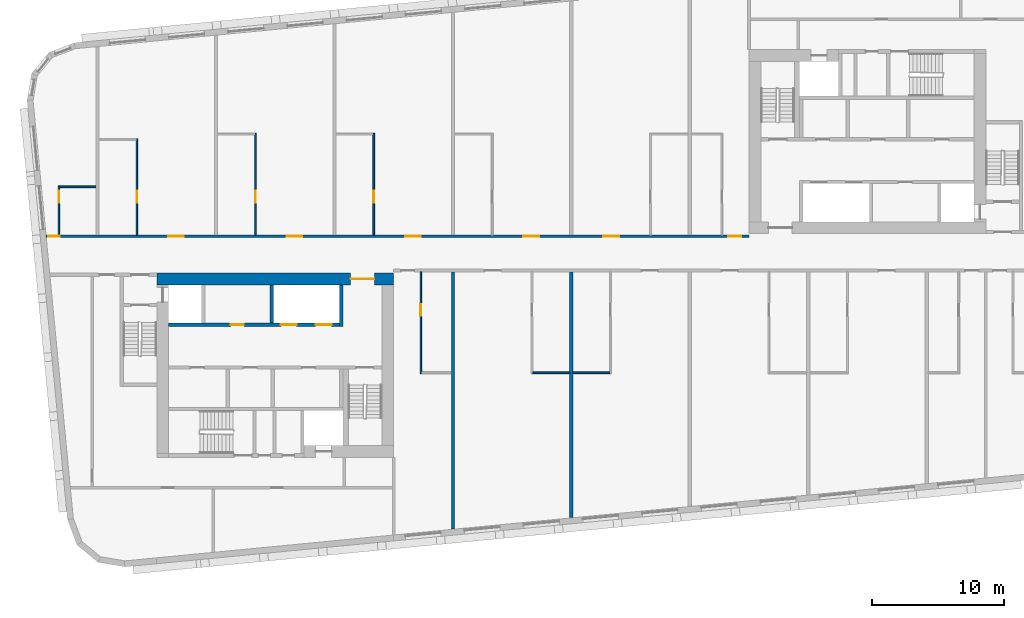
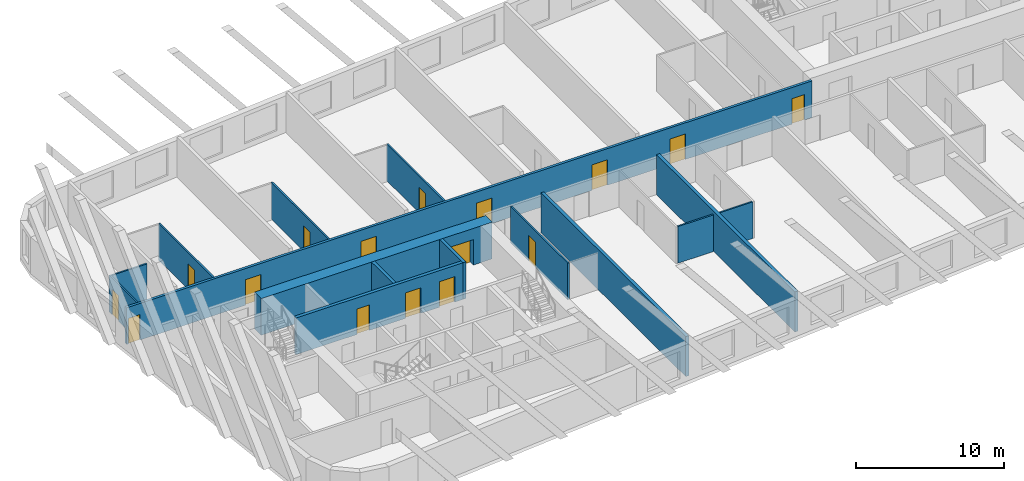
# One storey, part 3 of 12: 16 doors, 15 walls, 16 openings.
"""IFC4 building model written with IfcOpenShell, lengths in metres."""

from ifc_helpers import new_model, si_unit, direction, frame, frame_2d, origin, place, context, subcontext, project, spatial, rectangle, extrude, material, layer, layer_set, type_object, element, fill, save


model = new_model("IFC4")

# Units and contexts
model_context = context("Model", 3, precision=1e-05, world=origin(), true_north=direction((0.0, 1.0)))
body_context = subcontext(model_context, "Body", "Model", "MODEL_VIEW")
ifc_project = project(units=[si_unit("LENGTHUNIT", "METRE"), si_unit("AREAUNIT", "SQUARE_METRE"), si_unit("VOLUMEUNIT", "CUBIC_METRE"), si_unit("PLANEANGLEUNIT", "RADIAN"), si_unit("MASSUNIT", "GRAM", prefix="KILO")], contexts=[model_context])

# Site, building, storey
site_placement = place(None, origin())
site = spatial("IfcSite", under=ifc_project, at=site_placement, CompositionType="ELEMENT")
building_placement = place(site_placement, origin())
building = spatial("IfcBuilding", under=site, at=building_placement, Name="Kajstack Hotel Tower", CompositionType="ELEMENT")
storey_placement = place(building_placement, frame((0.0, 0.0, 268.5)))
storey = spatial("IfcBuildingStorey", under=building, at=storey_placement, Name="L66", CompositionType="ELEMENT", Elevation=268.5)

# Wall, opening, door
ifc_material_1 = material(Name="Concrete C60/75", Category="concrete")
ifc_layer_1 = layer(ifc_material_1, 0.89990234375)
ifc_layer_set_1 = layer_set([ifc_layer_1], Name="Core wall 900")
wall_type_1 = type_object("IfcWallType", Name="Core wall 900", PredefinedType="SHEAR", material=ifc_layer_set_1)
wall_1_placement = place(storey_placement, frame((-31.5, -1.949951171875, 0.0), z_axis=(0.0, 0.0, 1.0), x_axis=(1.0, 0.0, 0.0)))
wall_1 = element("IfcWall", 1, at=wall_1_placement, inside=storey, type_object=wall_type_1, Name="Core wall W RN", PredefinedType="SHEAR", context=body_context, shape_type="SweptSolid", body=[
    extrude(rectangle(XDim=18.0, YDim=0.89990234375, at=frame_2d((9.0, 0.0))), origin(), (0.0, 0.0, 1.0), 3.02001953125),
])
opening_1_placement = place(wall_1_placement, frame((14.72509765625, 0.0, 0.0)))
opening_1 = element("IfcOpeningElement", 2, at=opening_1_placement, cuts=wall_1, Name="Opening 66W05", PredefinedType="OPENING", context=body_context, shape_type="SweptSolid", body=[
    extrude(rectangle(XDim=1.800048828125, YDim=2.10009765625, at=frame_2d((0.89990234375, 1.050048828125))), frame((0.0, 0.4599609375, 0.0), z_axis=(0.0, -1.0, 0.0), x_axis=(1.0, 0.0, 0.0)), (0.0, 0.0, 1.0), 0.919921875),
])
ifc_material_2 = material(Name="Glazed steel frame, fire-rated glass", Category="steel")
door_type_1 = type_object("IfcDoorType", Name="Lobby double door 1800", OperationType="DOUBLE_DOOR_DOUBLE_SWING", PredefinedType="DOOR", material=ifc_material_2)
door_1_placement = place(opening_1_placement, origin())
door_1 = element("IfcDoor", 3, at=door_1_placement, inside=storey, type_object=door_type_1, Name="Door 66W05", OperationType="DOUBLE_DOOR_DOUBLE_SWING", OverallHeight=2.10009765625, OverallWidth=1.800048828125, PredefinedType="DOOR", context=body_context, shape_type="SweptSolid", body=[
    extrude(rectangle(XDim=1.800048828125, YDim=2.10009765625, at=frame_2d((0.89990234375, 1.050048828125))), frame((0.0, 0.02490234375, 0.0), z_axis=(0.0, -1.0, 0.0), x_axis=(1.0, 0.0, 0.0)), (0.0, 0.0, 1.0), 0.050048828125),
])
fill(opening_1, door_1)

# Wall, openings, doors
ifc_material_3 = material(Name="Gypsum board on steel studs, mineral wool", Category="steel")
ifc_layer_2 = layer(ifc_material_3, 0.199951171875)
ifc_layer_set_2 = layer_set([ifc_layer_2], Name="Corridor wall 200")
wall_type_2 = type_object("IfcWallType", Name="Corridor wall 200", PredefinedType="PARTITIONING", material=ifc_layer_set_2)
wall_2_placement = place(storey_placement, frame((-39.908935546875, 1.300048828125, 0.0), z_axis=(0.0, 0.0, 1.0), x_axis=(1.0, 0.0, 0.0)))
wall_2 = element("IfcWall", 4, at=wall_2_placement, inside=storey, type_object=wall_type_2, Name="G-wall-L66-003", PredefinedType="PARTITIONING", context=body_context, shape_type="SweptSolid", body=[
    extrude(rectangle(XDim=53.408935546875, YDim=0.199951171875, at=frame_2d((26.70458984375, 0.0))), origin(), (0.0, 0.0, 1.0), 3.02001953125),
])
opening_2_placement = place(wall_2_placement, frame((0.14990234375, 0.0, 0.0)))
opening_2 = element("IfcOpeningElement", 5, at=opening_2_placement, cuts=wall_2, Name="Opening 66001", PredefinedType="OPENING", context=body_context, shape_type="SweptSolid", body=[
    extrude(rectangle(XDim=0.89990234375, YDim=2.10009765625, at=frame_2d((0.449951171875, 1.050048828125))), frame((0.0, 0.10986328125, 0.0), z_axis=(0.0, -1.0, 0.0), x_axis=(1.0, 0.0, 0.0)), (0.0, 0.0, 1.0), 0.219970703125),
])
opening_3_placement = place(wall_2_placement, frame((9.27099609375, 0.0, 0.0)))
opening_3 = element("IfcOpeningElement", 6, at=opening_3_placement, cuts=wall_2, Name="Opening 66003", PredefinedType="OPENING", context=body_context, shape_type="SweptSolid", body=[
    extrude(rectangle(XDim=1.199951171875, YDim=2.10009765625, at=frame_2d((0.60009765625, 1.050048828125))), frame((0.0, 0.10986328125, 0.0), z_axis=(0.0, -1.0, 0.0), x_axis=(1.0, 0.0, 0.0)), (0.0, 0.0, 1.0), 0.219970703125),
])
opening_4_placement = place(wall_2_placement, frame((18.27099609375, 0.0, 0.0)))
opening_4 = element("IfcOpeningElement", 7, at=opening_4_placement, cuts=wall_2, Name="Opening 66005", PredefinedType="OPENING", context=body_context, shape_type="SweptSolid", body=[
    extrude(rectangle(XDim=1.199951171875, YDim=2.10009765625, at=frame_2d((0.60009765625, 1.050048828125))), frame((0.0, 0.10986328125, 0.0), z_axis=(0.0, -1.0, 0.0), x_axis=(1.0, 0.0, 0.0)), (0.0, 0.0, 1.0), 0.219970703125),
])
opening_5_placement = place(wall_2_placement, frame((27.27099609375, 0.0, 0.0)))
opening_5 = element("IfcOpeningElement", 8, at=opening_5_placement, cuts=wall_2, Name="Opening 66007", PredefinedType="OPENING", context=body_context, shape_type="SweptSolid", body=[
    extrude(rectangle(XDim=1.199951171875, YDim=2.10009765625, at=frame_2d((0.60009765625, 1.050048828125))), frame((0.0, 0.10986328125, 0.0), z_axis=(0.0, -1.0, 0.0), x_axis=(1.0, 0.0, 0.0)), (0.0, 0.0, 1.0), 0.219970703125),
])
opening_6_placement = place(wall_2_placement, frame((36.27099609375, 0.0, 0.0)))
opening_6 = element("IfcOpeningElement", 9, at=opening_6_placement, cuts=wall_2, Name="Opening 66009", PredefinedType="OPENING", context=body_context, shape_type="SweptSolid", body=[
    extrude(rectangle(XDim=1.199951171875, YDim=2.10009765625, at=frame_2d((0.60009765625, 1.050048828125))), frame((0.0, 0.10986328125, 0.0), z_axis=(0.0, -1.0, 0.0), x_axis=(1.0, 0.0, 0.0)), (0.0, 0.0, 1.0), 0.219970703125),
])
opening_7_placement = place(wall_2_placement, frame((42.345947265625, 0.0, 0.0)))
opening_7 = element("IfcOpeningElement", 10, at=opening_7_placement, cuts=wall_2, Name="Opening 66011", PredefinedType="OPENING", context=body_context, shape_type="SweptSolid", body=[
    extrude(rectangle(XDim=1.199951171875, YDim=2.10009765625, at=frame_2d((0.60009765625, 1.050048828125))), frame((0.0, 0.10986328125, 0.0), z_axis=(0.0, -1.0, 0.0), x_axis=(1.0, 0.0, 0.0)), (0.0, 0.0, 1.0), 0.219970703125),
])
opening_8_placement = place(wall_2_placement, frame((51.833984375, 0.0, 0.0)))
opening_8 = element("IfcOpeningElement", 11, at=opening_8_placement, cuts=wall_2, Name="Opening 66013", PredefinedType="OPENING", context=body_context, shape_type="SweptSolid", body=[
    extrude(rectangle(XDim=1.0, YDim=2.10009765625, at=frame_2d((0.5, 1.050048828125))), frame((0.0, 0.10986328125, 0.0), z_axis=(0.0, -1.0, 0.0), x_axis=(1.0, 0.0, 0.0)), (0.0, 0.0, 1.0), 0.219970703125),
])
ifc_material_4 = material(Name="Oak veneer on timber core, fire-rated leaf", Category="wood")
door_type_2 = type_object("IfcDoorType", Name="Flat entrance door 1000", OperationType="SINGLE_SWING_LEFT", PredefinedType="DOOR", material=ifc_material_4)
door_2_placement = place(opening_8_placement, origin())
door_2 = element("IfcDoor", 12, at=door_2_placement, inside=storey, type_object=door_type_2, Name="G-door-L66-13", OperationType="SINGLE_SWING_LEFT", OverallHeight=2.10009765625, OverallWidth=1.0, PredefinedType="DOOR", context=body_context, shape_type="SweptSolid", body=[
    extrude(rectangle(XDim=1.0, YDim=2.10009765625, at=frame_2d((0.5, 1.050048828125))), frame((0.0, 0.02490234375, 0.0), z_axis=(0.0, -1.0, 0.0), x_axis=(1.0, 0.0, 0.0)), (0.0, 0.0, 1.0), 0.050048828125),
])
fill(opening_8, door_2)
door_type_3 = type_object("IfcDoorType", Name="Flat entrance door 1200", OperationType="SINGLE_SWING_LEFT", PredefinedType="DOOR", material=ifc_material_4)
door_3_placement = place(opening_3_placement, origin())
door_3 = element("IfcDoor", 13, at=door_3_placement, inside=storey, type_object=door_type_3, Name="G-door-L66-03", OperationType="SINGLE_SWING_RIGHT", OverallHeight=2.10009765625, OverallWidth=1.199951171875, PredefinedType="DOOR", context=body_context, shape_type="SweptSolid", body=[
    extrude(rectangle(XDim=1.199951171875, YDim=2.10009765625, at=frame_2d((0.60009765625, 1.050048828125))), frame((0.0, 0.02490234375, 0.0), z_axis=(0.0, -1.0, 0.0), x_axis=(1.0, 0.0, 0.0)), (0.0, 0.0, 1.0), 0.050048828125),
])
fill(opening_3, door_3)
door_4_placement = place(opening_4_placement, origin())
door_4 = element("IfcDoor", 14, at=door_4_placement, inside=storey, type_object=door_type_3, Name="G-door-L66-05", OperationType="SINGLE_SWING_LEFT", OverallHeight=2.10009765625, OverallWidth=1.199951171875, PredefinedType="DOOR", context=body_context, shape_type="SweptSolid", body=[
    extrude(rectangle(XDim=1.199951171875, YDim=2.10009765625, at=frame_2d((0.60009765625, 1.050048828125))), frame((0.0, 0.02490234375, 0.0), z_axis=(0.0, -1.0, 0.0), x_axis=(1.0, 0.0, 0.0)), (0.0, 0.0, 1.0), 0.050048828125),
])
fill(opening_4, door_4)
door_5_placement = place(opening_5_placement, origin())
door_5 = element("IfcDoor", 15, at=door_5_placement, inside=storey, type_object=door_type_3, Name="G-door-L66-07", OperationType="SINGLE_SWING_RIGHT", OverallHeight=2.10009765625, OverallWidth=1.199951171875, PredefinedType="DOOR", context=body_context, shape_type="SweptSolid", body=[
    extrude(rectangle(XDim=1.199951171875, YDim=2.10009765625, at=frame_2d((0.60009765625, 1.050048828125))), frame((0.0, 0.02490234375, 0.0), z_axis=(0.0, -1.0, 0.0), x_axis=(1.0, 0.0, 0.0)), (0.0, 0.0, 1.0), 0.050048828125),
])
fill(opening_5, door_5)
door_6_placement = place(opening_6_placement, origin())
door_6 = element("IfcDoor", 16, at=door_6_placement, inside=storey, type_object=door_type_3, Name="G-door-L66-09", OperationType="SINGLE_SWING_RIGHT", OverallHeight=2.10009765625, OverallWidth=1.199951171875, PredefinedType="DOOR", context=body_context, shape_type="SweptSolid", body=[
    extrude(rectangle(XDim=1.199951171875, YDim=2.10009765625, at=frame_2d((0.60009765625, 1.050048828125))), frame((0.0, 0.02490234375, 0.0), z_axis=(0.0, -1.0, 0.0), x_axis=(1.0, 0.0, 0.0)), (0.0, 0.0, 1.0), 0.050048828125),
])
fill(opening_6, door_6)
door_7_placement = place(opening_7_placement, origin())
door_7 = element("IfcDoor", 17, at=door_7_placement, inside=storey, type_object=door_type_3, Name="G-door-L66-11", OperationType="SINGLE_SWING_LEFT", OverallHeight=2.10009765625, OverallWidth=1.199951171875, PredefinedType="DOOR", context=body_context, shape_type="SweptSolid", body=[
    extrude(rectangle(XDim=1.199951171875, YDim=2.10009765625, at=frame_2d((0.60009765625, 1.050048828125))), frame((0.0, 0.02490234375, 0.0), z_axis=(0.0, -1.0, 0.0), x_axis=(1.0, 0.0, 0.0)), (0.0, 0.0, 1.0), 0.050048828125),
])
fill(opening_7, door_7)
ifc_material_5 = material(Name="Painted timber door leaf", Category="wood")
door_type_4 = type_object("IfcDoorType", Name="Room door 900", OperationType="SINGLE_SWING_LEFT", PredefinedType="DOOR", material=ifc_material_5)
door_8_placement = place(opening_2_placement, origin())
door_8 = element("IfcDoor", 18, at=door_8_placement, inside=storey, type_object=door_type_4, Name="G-door-L66-01", OperationType="SINGLE_SWING_RIGHT", OverallHeight=2.10009765625, OverallWidth=0.89990234375, PredefinedType="DOOR", context=body_context, shape_type="SweptSolid", body=[
    extrude(rectangle(XDim=0.89990234375, YDim=2.10009765625, at=frame_2d((0.449951171875, 1.050048828125))), frame((0.0, 0.02490234375, 0.0), z_axis=(0.0, -1.0, 0.0), x_axis=(1.0, 0.0, 0.0)), (0.0, 0.0, 1.0), 0.050048828125),
])
fill(opening_2, door_8)

# Wall, opening, door
ifc_material_6 = material(Name="Gypsum board and tiled backer on steel studs", Category="steel")
ifc_layer_3 = layer(ifc_material_6, 0.125)
ifc_layer_set_3 = layer_set([ifc_layer_3], Name="En-suite wall 125")
wall_type_3 = type_object("IfcWallType", Name="En-suite wall 125", PredefinedType="PARTITIONING", material=ifc_layer_set_3)
wall_3_placement = place(storey_placement, frame((-38.93994140625, 1.39990234375, 0.0), z_axis=(0.0, 0.0, 1.0), x_axis=(0.0, 1.0, 0.0)))
wall_3 = element("IfcWall", 19, at=wall_3_placement, inside=storey, type_object=wall_type_3, Name="G-wall-L66-004", PredefinedType="PARTITIONING", context=body_context, shape_type="SweptSolid", body=[
    extrude(rectangle(XDim=3.72509765625, YDim=0.125, at=frame_2d((1.862548828125, 0.0))), origin(), (0.0, 0.0, 1.0), 3.02001953125),
])
opening_9_placement = place(wall_3_placement, frame((2.449951171875, 0.0, 0.0)))
opening_9 = element("IfcOpeningElement", 20, at=opening_9_placement, cuts=wall_3, Name="Opening 66002", PredefinedType="OPENING", context=body_context, shape_type="SweptSolid", body=[
    extrude(rectangle(XDim=0.89990234375, YDim=2.10009765625, at=frame_2d((0.449951171875, 1.050048828125))), frame((0.0, 0.072509765625, 0.0), z_axis=(0.0, -1.0, 0.0), x_axis=(1.0, 0.0, 0.0)), (0.0, 0.0, 1.0), 0.14501953125),
])
door_9_placement = place(opening_9_placement, origin())
door_9 = element("IfcDoor", 21, at=door_9_placement, inside=storey, type_object=door_type_4, Name="G-door-L66-02", OperationType="SINGLE_SWING_RIGHT", OverallHeight=2.10009765625, OverallWidth=0.89990234375, PredefinedType="DOOR", context=body_context, shape_type="SweptSolid", body=[
    extrude(rectangle(XDim=0.89990234375, YDim=2.10009765625, at=frame_2d((0.449951171875, 1.050048828125))), frame((0.0, 0.02490234375, 0.0), z_axis=(0.0, -1.0, 0.0), x_axis=(1.0, 0.0, 0.0)), (0.0, 0.0, 1.0), 0.050048828125),
])
fill(opening_9, door_9)

# Wall
wall_4_placement = place(storey_placement, frame((-38.8779296875, 5.06201171875, 0.0), z_axis=(0.0, 0.0, 1.0), x_axis=(1.0, 0.0, 0.0)))
element("IfcWall", 22, at=wall_4_placement, inside=storey, type_object=wall_type_3, Name="G-wall-L66-005", PredefinedType="PARTITIONING", context=body_context, shape_type="SweptSolid", body=[
    extrude(rectangle(XDim=2.7529296875, YDim=0.125, at=frame_2d((1.37646484375, 0.0))), origin(), (0.0, 0.0, 1.0), 3.02001953125),
])

# Wall, opening, door
wall_5_placement = place(storey_placement, frame((-33.012939453125, 1.39990234375, 0.0), z_axis=(0.0, 0.0, 1.0), x_axis=(0.0, 1.0, 0.0)))
wall_5 = element("IfcWall", 23, at=wall_5_placement, inside=storey, type_object=wall_type_3, Name="G-wall-L66-006", PredefinedType="PARTITIONING", context=body_context, shape_type="SweptSolid", body=[
    extrude(rectangle(XDim=7.330078125, YDim=0.125, at=frame_2d((3.6650390625, 0.0))), origin(), (0.0, 0.0, 1.0), 3.02001953125),
])
opening_10_placement = place(wall_5_placement, frame((2.449951171875, 0.0, 0.0)))
opening_10 = element("IfcOpeningElement", 24, at=opening_10_placement, cuts=wall_5, Name="Opening 66004", PredefinedType="OPENING", context=body_context, shape_type="SweptSolid", body=[
    extrude(rectangle(XDim=0.89990234375, YDim=2.10009765625, at=frame_2d((0.449951171875, 1.050048828125))), frame((0.0, 0.072509765625, 0.0), z_axis=(0.0, -1.0, 0.0), x_axis=(1.0, 0.0, 0.0)), (0.0, 0.0, 1.0), 0.14501953125),
])
door_10_placement = place(opening_10_placement, origin())
door_10 = element("IfcDoor", 25, at=door_10_placement, inside=storey, type_object=door_type_4, Name="G-door-L66-04", OperationType="SINGLE_SWING_LEFT", OverallHeight=2.10009765625, OverallWidth=0.89990234375, PredefinedType="DOOR", context=body_context, shape_type="SweptSolid", body=[
    extrude(rectangle(XDim=0.89990234375, YDim=2.10009765625, at=frame_2d((0.449951171875, 1.050048828125))), frame((0.0, 0.02490234375, 0.0), z_axis=(0.0, -1.0, 0.0), x_axis=(1.0, 0.0, 0.0)), (0.0, 0.0, 1.0), 0.050048828125),
])
fill(opening_10, door_10)

wall_6_placement = place(storey_placement, frame((-24.011962890625, 1.39990234375, 0.0), z_axis=(0.0, 0.0, 1.0), x_axis=(0.0, 1.0, 0.0)))
wall_6 = element("IfcWall", 26, at=wall_6_placement, inside=storey, type_object=wall_type_3, Name="G-wall-L66-008", PredefinedType="PARTITIONING", context=body_context, shape_type="SweptSolid", body=[
    extrude(rectangle(XDim=7.72509765625, YDim=0.125, at=frame_2d((3.862548828125, 0.0))), origin(), (0.0, 0.0, 1.0), 3.02001953125),
])
opening_11_placement = place(wall_6_placement, frame((2.449951171875, 0.0, 0.0)))
opening_11 = element("IfcOpeningElement", 27, at=opening_11_placement, cuts=wall_6, Name="Opening 66006", PredefinedType="OPENING", context=body_context, shape_type="SweptSolid", body=[
    extrude(rectangle(XDim=0.89990234375, YDim=2.10009765625, at=frame_2d((0.449951171875, 1.050048828125))), frame((0.0, 0.072509765625, 0.0), z_axis=(0.0, -1.0, 0.0), x_axis=(1.0, 0.0, 0.0)), (0.0, 0.0, 1.0), 0.14501953125),
])
door_11_placement = place(opening_11_placement, origin())
door_11 = element("IfcDoor", 28, at=door_11_placement, inside=storey, type_object=door_type_4, Name="G-door-L66-06", OperationType="SINGLE_SWING_LEFT", OverallHeight=2.10009765625, OverallWidth=0.89990234375, PredefinedType="DOOR", context=body_context, shape_type="SweptSolid", body=[
    extrude(rectangle(XDim=0.89990234375, YDim=2.10009765625, at=frame_2d((0.449951171875, 1.050048828125))), frame((0.0, 0.02490234375, 0.0), z_axis=(0.0, -1.0, 0.0), x_axis=(1.0, 0.0, 0.0)), (0.0, 0.0, 1.0), 0.050048828125),
])
fill(opening_11, door_11)

wall_7_placement = place(storey_placement, frame((-15.011962890625, 1.39990234375, 0.0), z_axis=(0.0, 0.0, 1.0), x_axis=(0.0, 1.0, 0.0)))
wall_7 = element("IfcWall", 29, at=wall_7_placement, inside=storey, type_object=wall_type_3, Name="G-wall-L66-010", PredefinedType="PARTITIONING", context=body_context, shape_type="SweptSolid", body=[
    extrude(rectangle(XDim=7.72509765625, YDim=0.125, at=frame_2d((3.862548828125, 0.0))), origin(), (0.0, 0.0, 1.0), 3.02001953125),
])
opening_12_placement = place(wall_7_placement, frame((2.449951171875, 0.0, 0.0)))
opening_12 = element("IfcOpeningElement", 30, at=opening_12_placement, cuts=wall_7, Name="Opening 66008", PredefinedType="OPENING", context=body_context, shape_type="SweptSolid", body=[
    extrude(rectangle(XDim=0.89990234375, YDim=2.10009765625, at=frame_2d((0.449951171875, 1.050048828125))), frame((0.0, 0.072509765625, 0.0), z_axis=(0.0, -1.0, 0.0), x_axis=(1.0, 0.0, 0.0)), (0.0, 0.0, 1.0), 0.14501953125),
])
door_12_placement = place(opening_12_placement, origin())
door_12 = element("IfcDoor", 31, at=door_12_placement, inside=storey, type_object=door_type_4, Name="G-door-L66-08", OperationType="SINGLE_SWING_RIGHT", OverallHeight=2.10009765625, OverallWidth=0.89990234375, PredefinedType="DOOR", context=body_context, shape_type="SweptSolid", body=[
    extrude(rectangle(XDim=0.89990234375, YDim=2.10009765625, at=frame_2d((0.449951171875, 1.050048828125))), frame((0.0, 0.02490234375, 0.0), z_axis=(0.0, -1.0, 0.0), x_axis=(1.0, 0.0, 0.0)), (0.0, 0.0, 1.0), 0.050048828125),
])
fill(opening_12, door_12)

wall_8_placement = place(storey_placement, frame((-11.43798828125, -9.125, 0.0), z_axis=(0.0, 0.0, 1.0), x_axis=(0.0, 1.0, 0.0)))
wall_8 = element("IfcWall", 32, at=wall_8_placement, inside=storey, type_object=wall_type_3, Name="G-wall-L66-019", PredefinedType="PARTITIONING", context=body_context, shape_type="SweptSolid", body=[
    extrude(rectangle(XDim=7.72509765625, YDim=0.125, at=frame_2d((3.862548828125, 0.0))), origin(), (0.0, 0.0, 1.0), 3.02001953125),
])
opening_13_placement = place(wall_8_placement, frame((4.375, 0.0, 0.0)))
opening_13 = element("IfcOpeningElement", 33, at=opening_13_placement, cuts=wall_8, Name="Opening 66016", PredefinedType="OPENING", context=body_context, shape_type="SweptSolid", body=[
    extrude(rectangle(XDim=0.89990234375, YDim=2.10009765625, at=frame_2d((0.449951171875, 1.050048828125))), frame((0.0, 0.072509765625, 0.0), z_axis=(0.0, -1.0, 0.0), x_axis=(1.0, 0.0, 0.0)), (0.0, 0.0, 1.0), 0.14501953125),
])
door_13_placement = place(opening_13_placement, origin())
door_13 = element("IfcDoor", 34, at=door_13_placement, inside=storey, type_object=door_type_4, Name="G-door-L66-16", OperationType="SINGLE_SWING_RIGHT", OverallHeight=2.10009765625, OverallWidth=0.89990234375, PredefinedType="DOOR", context=body_context, shape_type="SweptSolid", body=[
    extrude(rectangle(XDim=0.89990234375, YDim=2.10009765625, at=frame_2d((0.449951171875, 1.050048828125))), frame((0.0, 0.02490234375, 0.0), z_axis=(0.0, -1.0, 0.0), x_axis=(1.0, 0.0, 0.0)), (0.0, 0.0, 1.0), 0.050048828125),
])
fill(opening_13, door_13)

# Walls
for number, where, z_axis, x_axis, name in (
    (35, (-2.925048828125, -9.06201171875, 0.0), (0.0, 0.0, 1.0), (1.0, 0.0, 0.0), "G-wall-L66-022"),
    (36, (0.125, -9.06201171875, 0.0), (0.0, 0.0, 1.0), (1.0, 0.0, 0.0), "G-wall-L66-024"),
):
    element("IfcWall", number, at=place(storey_placement, frame(where, z_axis=z_axis, x_axis=x_axis)), inside=storey, type_object=wall_type_3, Name=name, PredefinedType="PARTITIONING", context=body_context, shape_type="SweptSolid", body=[
        extrude(rectangle(XDim=2.800048828125, YDim=0.125, at=frame_2d((1.39990234375, 0.0))), origin(), (0.0, 0.0, 1.0), 3.02001953125),
    ])
ifc_material_7 = material(Name="Concrete C50/60", Category="concrete")
ifc_layer_4 = layer(ifc_material_7, 0.300048828125)
ifc_layer_set_4 = layer_set([ifc_layer_4], Name="Hoistway divider wall 300")
wall_type_4 = type_object("IfcWallType", Name="Hoistway divider wall 300", PredefinedType="SHEAR", material=ifc_layer_set_4)
wall_9_placement = place(storey_placement, frame((-22.77490234375, -5.300048828125, 0.0), z_axis=(0.0, 0.0, 1.0), x_axis=(0.0, 1.0, 0.0)))
element("IfcWall", 37, at=wall_9_placement, inside=storey, type_object=wall_type_4, Name="Core wall W AP2", PredefinedType="SHEAR", context=body_context, shape_type="SweptSolid", body=[
    extrude(rectangle(XDim=2.900146484375, YDim=0.25, at=frame_2d((1.4501953125, 0.0))), origin(), (0.0, 0.0, 1.0), 3.02001953125),
])
ifc_material_8 = material(Name="Concrete C40/50", Category="concrete")
ifc_layer_5 = layer(ifc_material_8, 0.25)
ifc_layer_set_5 = layer_set([ifc_layer_5], Name="RC cross wall 250 C40/50")
wall_type_5 = type_object("IfcWallType", Name="RC cross wall 250 C40/50", PredefinedType="SHEAR", material=ifc_layer_set_5)
wall_10_placement = place(storey_placement, frame((-9.0, -20.9404296875, 0.0), z_axis=(0.0, 0.0, 1.0), x_axis=(0.0, 1.0, 0.0)))
element("IfcWall", 38, at=wall_10_placement, inside=storey, type_object=wall_type_5, Name="S-wall-L66-04", PredefinedType="SHEAR", context=body_context, shape_type="SweptSolid", body=[
    extrude(rectangle(XDim=19.54052734375, YDim=0.25, at=frame_2d((9.770263671875, 0.0))), origin(), (0.0, 0.0, 1.0), 3.300048828125),
])
wall_11_placement = place(storey_placement, frame((0.0, -20.073974609375, 0.0), z_axis=(0.0, 0.0, 1.0), x_axis=(0.0, 1.0, 0.0)))
element("IfcWall", 39, at=wall_11_placement, inside=storey, type_object=wall_type_5, Name="S-wall-L66-06", PredefinedType="SHEAR", context=body_context, shape_type="SweptSolid", body=[
    extrude(rectangle(XDim=18.674072265625, YDim=0.25, at=frame_2d((9.3369140625, 0.0))), origin(), (0.0, 0.0, 1.0), 3.300048828125),
])

# Wall, openings, doors
ifc_layer_6 = layer(ifc_material_7, 0.25)
ifc_layer_set_6 = layer_set([ifc_layer_6], Name="Shaft wall 250")
wall_type_6 = type_object("IfcWallType", Name="Shaft wall 250", PredefinedType="SHEAR", material=ifc_layer_set_6)
wall_12_placement = place(storey_placement, frame((-30.60009765625, -5.425048828125, 0.0), z_axis=(0.0, 0.0, 1.0), x_axis=(1.0, 0.0, 0.0)))
wall_12 = element("IfcWall", 40, at=wall_12_placement, inside=storey, type_object=wall_type_6, Name="Core wall W FA", PredefinedType="SHEAR", context=body_context, shape_type="SweptSolid", body=[
    extrude(rectangle(XDim=13.0, YDim=0.25, at=frame_2d((6.5, 0.0))), origin(), (0.0, 0.0, 1.0), 3.02001953125),
])
opening_14_placement = place(wall_12_placement, frame((8.52490234375, 0.0, 0.0)))
opening_14 = element("IfcOpeningElement", 41, at=opening_14_placement, cuts=wall_12, Name="Opening LD-HR1", PredefinedType="OPENING", context=body_context, shape_type="SweptSolid", body=[
    extrude(rectangle(XDim=1.199951171875, YDim=2.10009765625, at=frame_2d((0.60009765625, 1.050048828125))), frame((0.0, 0.135009765625, 0.0), z_axis=(0.0, -1.0, 0.0), x_axis=(1.0, 0.0, 0.0)), (0.0, 0.0, 1.0), 0.27001953125),
])
opening_15_placement = place(wall_12_placement, frame((11.175048828125, 0.0, 0.0)))
opening_15 = element("IfcOpeningElement", 42, at=opening_15_placement, cuts=wall_12, Name="Opening LD-HR2", PredefinedType="OPENING", context=body_context, shape_type="SweptSolid", body=[
    extrude(rectangle(XDim=1.199951171875, YDim=2.10009765625, at=frame_2d((0.60009765625, 1.050048828125))), frame((0.0, 0.135009765625, 0.0), z_axis=(0.0, -1.0, 0.0), x_axis=(1.0, 0.0, 0.0)), (0.0, 0.0, 1.0), 0.27001953125),
])
opening_16_placement = place(wall_12_placement, frame((4.72509765625, 0.0, 0.0)))
opening_16 = element("IfcOpeningElement", 43, at=opening_16_placement, cuts=wall_12, Name="Opening 66W16", PredefinedType="OPENING", context=body_context, shape_type="SweptSolid", body=[
    extrude(rectangle(XDim=1.0, YDim=2.10009765625, at=frame_2d((0.5, 1.050048828125))), frame((0.0, 0.135009765625, 0.0), z_axis=(0.0, -1.0, 0.0), x_axis=(1.0, 0.0, 0.0)), (0.0, 0.0, 1.0), 0.27001953125),
])
ifc_material_9 = material(Name="Stainless steel", Category="steel")
door_type_5 = type_object("IfcDoorType", Name="Lift landing door 1200", OperationType="SLIDING_TO_LEFT", PredefinedType="DOOR", material=ifc_material_9)
door_14_placement = place(opening_14_placement, origin())
door_14 = element("IfcDoor", 44, at=door_14_placement, inside=storey, type_object=door_type_5, Name="Landing door HR1", OperationType="SLIDING_TO_LEFT", OverallHeight=2.10009765625, OverallWidth=1.199951171875, PredefinedType="DOOR", context=body_context, shape_type="SweptSolid", body=[
    extrude(rectangle(XDim=1.199951171875, YDim=2.10009765625, at=frame_2d((0.60009765625, 1.050048828125))), frame((0.0, 0.02490234375, 0.0), z_axis=(0.0, -1.0, 0.0), x_axis=(1.0, 0.0, 0.0)), (0.0, 0.0, 1.0), 0.050048828125),
])
fill(opening_14, door_14)
door_15_placement = place(opening_15_placement, origin())
door_15 = element("IfcDoor", 45, at=door_15_placement, inside=storey, type_object=door_type_5, Name="Landing door HR2", OperationType="SLIDING_TO_RIGHT", OverallHeight=2.10009765625, OverallWidth=1.199951171875, PredefinedType="DOOR", context=body_context, shape_type="SweptSolid", body=[
    extrude(rectangle(XDim=1.199951171875, YDim=2.10009765625, at=frame_2d((0.60009765625, 1.050048828125))), frame((0.0, 0.02490234375, 0.0), z_axis=(0.0, -1.0, 0.0), x_axis=(1.0, 0.0, 0.0)), (0.0, 0.0, 1.0), 0.050048828125),
])
fill(opening_15, door_15)
ifc_material_10 = material(Name="Timber leaf, fire-rated", Category="wood")
door_type_6 = type_object("IfcDoorType", Name="Service room door 1000", OperationType="SINGLE_SWING_LEFT", PredefinedType="DOOR", material=ifc_material_10)
door_16_placement = place(opening_16_placement, origin())
door_16 = element("IfcDoor", 46, at=door_16_placement, inside=storey, type_object=door_type_6, Name="Door 66W16", OperationType="SINGLE_SWING_RIGHT", OverallHeight=2.10009765625, OverallWidth=1.0, PredefinedType="DOOR", context=body_context, shape_type="SweptSolid", body=[
    extrude(rectangle(XDim=1.0, YDim=2.10009765625, at=frame_2d((0.5, 1.050048828125))), frame((0.0, 0.02490234375, 0.0), z_axis=(0.0, -1.0, 0.0), x_axis=(1.0, 0.0, 0.0)), (0.0, 0.0, 1.0), 0.050048828125),
])
fill(opening_16, door_16)

# Wall
wall_13_placement = place(storey_placement, frame((-17.47509765625, -5.550048828125, 0.0), z_axis=(0.0, 0.0, 1.0), x_axis=(0.0, 1.0, 0.0)))
element("IfcWall", 47, at=wall_13_placement, inside=storey, type_object=wall_type_6, Name="Core wall W AE", PredefinedType="SHEAR", context=body_context, shape_type="SweptSolid", body=[
    extrude(rectangle(XDim=3.150146484375, YDim=0.25, at=frame_2d((1.5751953125, 0.0))), origin(), (0.0, 0.0, 1.0), 3.02001953125),
])

save(model, "model.ifc")
